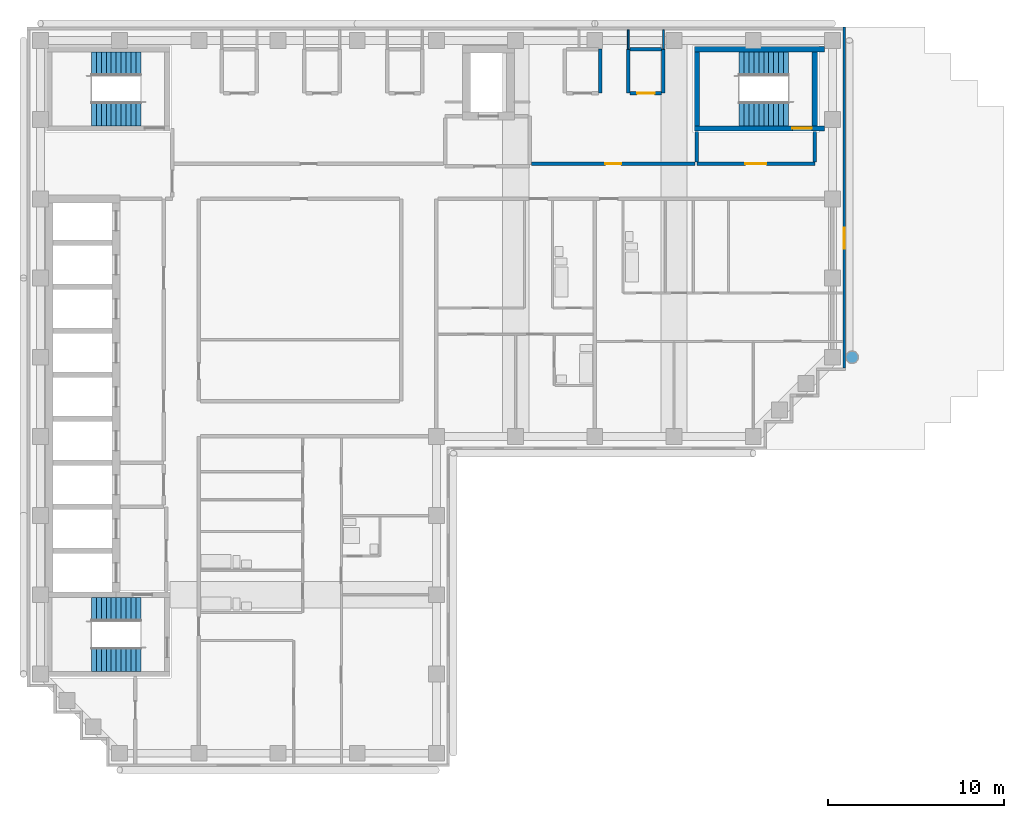
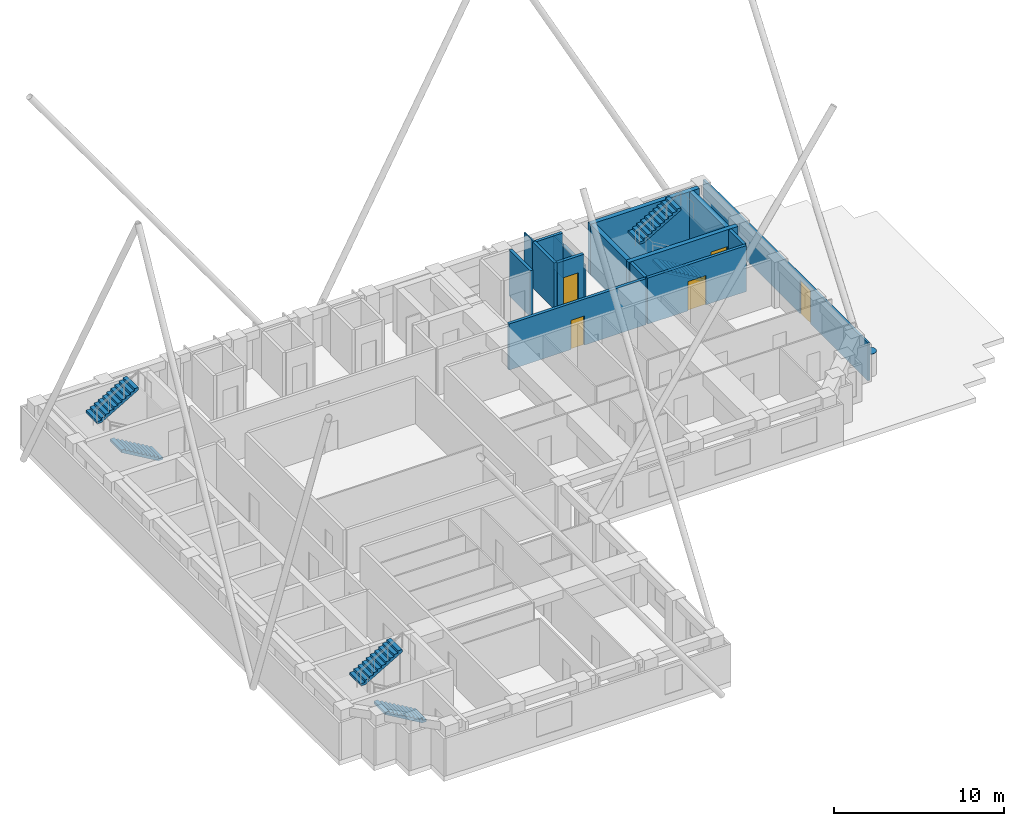
# One storey, part 6 of 8: 16 walls, 6 stair flights, 5 doors, 1 discrete accessory, 5 openings, 3 elements without a shape of their own.
"""IFC4 building model written with IfcOpenShell, lengths in metres."""

from ifc_helpers import new_model, si_unit, direction, frame, frame_2d, origin, origin_2d, place, context, subcontext, project, spatial, polyline, rectangle, circle, outline, extrude, material, layer, layer_set, material_profile, profile_set, type_object, element, fill, aggregate, save


model = new_model("IFC4")

# Units and contexts
model_context = context("Model", 3, precision=1e-05, world=origin(), true_north=direction((0.0, 1.0)))
body_context = subcontext(model_context, "Body", "Model", "MODEL_VIEW")
ifc_project = project(units=[si_unit("LENGTHUNIT", "METRE"), si_unit("AREAUNIT", "SQUARE_METRE"), si_unit("VOLUMEUNIT", "CUBIC_METRE"), si_unit("PLANEANGLEUNIT", "RADIAN"), si_unit("MASSUNIT", "GRAM", prefix="KILO")], contexts=[model_context])

# Site, building, storey
site_placement = place(None, origin())
site = spatial("IfcSite", under=ifc_project, at=site_placement, CompositionType="ELEMENT")
building_placement = place(site_placement, origin())
building = spatial("IfcBuilding", under=site, at=building_placement, Name="Firuza Court", CompositionType="ELEMENT")
storey_placement = place(building_placement, frame((0.0, 0.0, 233.0)))
storey = spatial("IfcBuildingStorey", under=building, at=storey_placement, Name="L60", CompositionType="ELEMENT", Elevation=233.0)

# Wall, opening, door
ifc_material_1 = material(Name="Concrete C50/60", Category="concrete")
ifc_layer_1 = layer(ifc_material_1, 0.300048828125)
ifc_layer_set_1 = layer_set([ifc_layer_1], Name="Concrete C50/60")
wall_type_1 = type_object("IfcWallType", Name="Core wall 300 C50/60", PredefinedType="SHEAR", material=ifc_layer_set_1)
wall_1_placement = place(storey_placement, frame((37.14990234375, 53.5, -0.35009765625), z_axis=(0.0, 0.0, 1.0), x_axis=(1.0, 0.0, 0.0)))
wall_1 = element("IfcWall", 1, at=wall_1_placement, inside=storey, type_object=wall_type_1, Name="Core wall stair L60", PredefinedType="SHEAR", context=body_context, shape_type="SweptSolid", body=[
    extrude(rectangle(XDim=7.400146484375, YDim=0.300048828125, at=frame_2d((3.7001953125, 0.0))), origin(), (0.0, 0.0, 1.0), 3.650146484375),
])
opening_1_placement = place(wall_1_placement, frame((5.580078125, 0.0, 0.35009765625)))
opening_1 = element("IfcOpeningElement", 2, at=opening_1_placement, cuts=wall_1, Name="Opening D60008", PredefinedType="OPENING", context=body_context, shape_type="SweptSolid", body=[
    extrude(rectangle(XDim=1.10009765625, YDim=2.10009765625, at=frame_2d((0.550048828125, 1.050048828125))), frame((0.0, 0.162109375, 0.0), z_axis=(0.0, -1.0, 0.0), x_axis=(1.0, 0.0, 0.0)), (0.0, 0.0, 1.0), 0.323974609375),
])
ifc_material_2 = material(Name="Timber door leaf in hardwood frame", Category="wood")
door_type_1 = type_object("IfcDoorType", Name="Stair door 1100", OperationType="SINGLE_SWING_LEFT", PredefinedType="DOOR", material=ifc_material_2)
door_1_placement = place(opening_1_placement, origin())
door_1 = element("IfcDoor", 3, at=door_1_placement, inside=storey, type_object=door_type_1, Name="Stair door S1", OperationType="SINGLE_SWING_RIGHT", OverallHeight=2.10009765625, OverallWidth=1.10009765625, PredefinedType="DOOR", context=body_context, shape_type="SweptSolid", body=[
    extrude(rectangle(XDim=1.10009765625, YDim=2.10009765625, at=frame_2d((0.550048828125, 1.050048828125))), frame((0.0, 0.02490234375, 0.0), z_axis=(0.0, -1.0, 0.0), x_axis=(1.0, 0.0, 0.0)), (0.0, 0.0, 1.0), 0.050048828125),
])
fill(opening_1, door_1)

# Walls
wall_2_placement = place(storey_placement, frame((37.14990234375, 58.0, -0.35009765625), z_axis=(0.0, 0.0, 1.0), x_axis=(1.0, 0.0, 0.0)))
element("IfcWall", 4, at=wall_2_placement, inside=storey, type_object=wall_type_1, Name="Core wall stair L60", PredefinedType="SHEAR", context=body_context, shape_type="SweptSolid", body=[
    extrude(rectangle(XDim=7.400146484375, YDim=0.300048828125, at=frame_2d((3.7001953125, 0.0))), origin(), (0.0, 0.0, 1.0), 3.650146484375),
])
for number, where, z_axis, x_axis, name in (
    (5, (37.300048828125, 53.64990234375, -0.35009765625), (0.0, 0.0, 1.0), (0.0, 1.0, 0.0), "Core wall stair L60"),
    (6, (44.0, 53.64990234375, -0.35009765625), (0.0, 0.0, 1.0), (0.0, 1.0, 0.0), "Core wall stair L60"),
):
    element("IfcWall", number, at=place(storey_placement, frame(where, z_axis=z_axis, x_axis=x_axis)), inside=storey, type_object=wall_type_1, Name=name, PredefinedType="SHEAR", context=body_context, shape_type="SweptSolid", body=[
        extrude(rectangle(XDim=4.2001953125, YDim=0.300048828125, at=frame_2d((2.10009765625, 0.0))), origin(), (0.0, 0.0, 1.0), 3.650146484375),
    ])

# Wall, opening, door
ifc_material_3 = material(Name="Blockwork, plastered both sides", Category="masonry")
ifc_layer_2 = layer(ifc_material_3, 0.199951171875)
ifc_layer_set_2 = layer_set([ifc_layer_2], Name="Blockwork, plastered both sides")
wall_type_2 = type_object("IfcWallType", Name="Corridor wall 200", PredefinedType="PARTITIONING", material=ifc_layer_set_2)
wall_3_placement = place(storey_placement, frame((27.89990234375, 51.5, 0.0), z_axis=(0.0, 0.0, 1.0), x_axis=(1.0, 0.0, 0.0)))
wall_3 = element("IfcWall", 7, at=wall_3_placement, inside=storey, type_object=wall_type_2, Name="Corridor wall 200 L60", PredefinedType="PARTITIONING", context=body_context, shape_type="SweptSolid", body=[
    extrude(rectangle(XDim=9.300048828125, YDim=0.199951171875, at=frame_2d((4.64990234375, 0.0))), origin(), (0.0, 0.0, 1.0), 3.300048828125),
])
opening_2_placement = place(wall_3_placement, frame((4.199951171875, 0.0, 0.0)))
opening_2 = element("IfcOpeningElement", 8, at=opening_2_placement, cuts=wall_3, Name="Opening D60041", PredefinedType="OPENING", context=body_context, shape_type="SweptSolid", body=[
    extrude(rectangle(XDim=0.89990234375, YDim=2.10009765625, at=frame_2d((0.449951171875, 1.050048828125))), frame((0.0, 0.11181640625, 0.0), z_axis=(0.0, -1.0, 0.0), x_axis=(1.0, 0.0, 0.0)), (0.0, 0.0, 1.0), 0.223876953125),
])
ifc_material_4 = material(Name="Timber door leaf in hardwood frame", Category="wood")
door_type_2 = type_object("IfcDoorType", Name="Room door 900 EI 30", OperationType="SINGLE_SWING_LEFT", PredefinedType="DOOR", material=ifc_material_4)
door_2_placement = place(opening_2_placement, origin())
door_2 = element("IfcDoor", 9, at=door_2_placement, inside=storey, type_object=door_type_2, Name="Meeting room door", OperationType="SINGLE_SWING_LEFT", OverallHeight=2.10009765625, OverallWidth=0.89990234375, PredefinedType="DOOR", context=body_context, shape_type="SweptSolid", body=[
    extrude(rectangle(XDim=0.89990234375, YDim=2.10009765625, at=frame_2d((0.449951171875, 1.050048828125))), frame((0.0, 0.02490234375, 0.0), z_axis=(0.0, -1.0, 0.0), x_axis=(1.0, 0.0, 0.0)), (0.0, 0.0, 1.0), 0.050048828125),
])
fill(opening_2, door_2)

# Walls
ifc_material_5 = material(Name="Timber stud partition, plasterboard both sides", Category="wood")
ifc_layer_3 = layer(ifc_material_5, 0.10009765625)
ifc_layer_set_3 = layer_set([ifc_layer_3], Name="Timber stud partition, plasterboard both sides")
wall_type_3 = type_object("IfcWallType", Name="Partition wall 100", PredefinedType="PARTITIONING", material=ifc_layer_set_3)
wall_4_placement = place(storey_placement, frame((33.39990234375, 58.0, 0.0), z_axis=(0.0, 0.0, 1.0), x_axis=(0.0, 1.0, 0.0)))
element("IfcWall", 10, at=wall_4_placement, inside=storey, type_object=wall_type_3, Name="Partition wall 100 L60", PredefinedType="PARTITIONING", context=body_context, shape_type="SweptSolid", body=[
    extrude(rectangle(XDim=1.10009765625, YDim=0.10009765625, at=frame_2d((0.550048828125, 0.0))), origin(), (0.0, 0.0, 1.0), 3.300048828125),
])
wall_5_placement = place(storey_placement, frame((35.39990234375, 58.0, 0.0), z_axis=(0.0, 0.0, 1.0), x_axis=(0.0, 1.0, 0.0)))
element("IfcWall", 11, at=wall_5_placement, inside=storey, type_object=wall_type_3, Name="Partition wall 100 L60", PredefinedType="PARTITIONING", context=body_context, shape_type="SweptSolid", body=[
    extrude(rectangle(XDim=1.10009765625, YDim=0.10009765625, at=frame_2d((0.550048828125, 0.0))), origin(), (0.0, 0.0, 1.0), 2.39990234375),
])
ifc_material_6 = material(Name="Blockwork, fire-rated", Category="masonry")
ifc_layer_4 = layer(ifc_material_6, 0.199951171875)
ifc_layer_set_4 = layer_set([ifc_layer_4], Name="Blockwork, fire-rated")
wall_type_4 = type_object("IfcWallType", Name="Plant room wall 200", PredefinedType="PARTITIONING", material=ifc_layer_set_4)
for number, where, z_axis, x_axis, name in (
    (12, (31.800048828125, 55.5, 0.0), (0.0, 0.0, 1.0), (0.0, 1.0, 0.0), "Plant room wall 200 L60"),
    (13, (33.39990234375, 55.5, 0.0), (0.0, 0.0, 1.0), (0.0, 1.0, 0.0), "Plant room wall 200 L60"),
):
    element("IfcWall", number, at=place(storey_placement, frame(where, z_axis=z_axis, x_axis=x_axis)), inside=storey, type_object=wall_type_4, Name=name, PredefinedType="PARTITIONING", context=body_context, shape_type="SweptSolid", body=[
        extrude(rectangle(XDim=2.5, YDim=0.199951171875, at=frame_2d((1.25, 0.0))), origin(), (0.0, 0.0, 1.0), 3.300048828125),
    ])

# Wall, opening, door
wall_6_placement = place(storey_placement, frame((33.5, 55.5, 0.0), z_axis=(0.0, 0.0, 1.0), x_axis=(1.0, 0.0, 0.0)))
wall_6 = element("IfcWall", 14, at=wall_6_placement, inside=storey, type_object=wall_type_4, Name="Plant room wall 200 L60", PredefinedType="PARTITIONING", context=body_context, shape_type="SweptSolid", body=[
    extrude(rectangle(XDim=1.800048828125, YDim=0.199951171875, at=frame_2d((0.89990234375, 0.0))), origin(), (0.0, 0.0, 1.0), 3.300048828125),
])
opening_3_placement = place(wall_6_placement, frame((0.39990234375, 0.0, 0.0)))
opening_3 = element("IfcOpeningElement", 15, at=opening_3_placement, cuts=wall_6, Name="Opening D60046", PredefinedType="OPENING", context=body_context, shape_type="SweptSolid", body=[
    extrude(rectangle(XDim=1.0, YDim=2.10009765625, at=frame_2d((0.5, 1.050048828125))), frame((0.0, 0.11181640625, 0.0), z_axis=(0.0, -1.0, 0.0), x_axis=(1.0, 0.0, 0.0)), (0.0, 0.0, 1.0), 0.223876953125),
])
ifc_material_7 = material(Name="Timber door leaf in hardwood frame", Category="wood")
door_type_3 = type_object("IfcDoorType", Name="Riser door 1000", OperationType="SINGLE_SWING_LEFT", PredefinedType="DOOR", material=ifc_material_7)
door_3_placement = place(opening_3_placement, origin())
door_3 = element("IfcDoor", 16, at=door_3_placement, inside=storey, type_object=door_type_3, Name="Duct riser door", OperationType="SINGLE_SWING_LEFT", OverallHeight=2.10009765625, OverallWidth=1.0, PredefinedType="DOOR", context=body_context, shape_type="SweptSolid", body=[
    extrude(rectangle(XDim=1.0, YDim=2.10009765625, at=frame_2d((0.5, 1.050048828125))), frame((0.0, 0.02490234375, 0.0), z_axis=(0.0, -1.0, 0.0), x_axis=(1.0, 0.0, 0.0)), (0.0, 0.0, 1.0), 0.050048828125),
])
fill(opening_3, door_3)

# Walls
wall_7_placement = place(storey_placement, frame((35.39990234375, 55.5, 0.0), z_axis=(0.0, 0.0, 1.0), x_axis=(0.0, 1.0, 0.0)))
element("IfcWall", 17, at=wall_7_placement, inside=storey, type_object=wall_type_4, Name="Plant room wall 200 L60", PredefinedType="PARTITIONING", context=body_context, shape_type="SweptSolid", body=[
    extrude(rectangle(XDim=2.5, YDim=0.199951171875, at=frame_2d((1.25, 0.0))), origin(), (0.0, 0.0, 1.0), 2.39990234375),
])
wall_8_placement = place(storey_placement, frame((33.5, 58.0, 0.0), z_axis=(0.0, 0.0, 1.0), x_axis=(1.0, 0.0, 0.0)))
element("IfcWall", 18, at=wall_8_placement, inside=storey, type_object=wall_type_4, Name="Plant room wall 200 L60", PredefinedType="PARTITIONING", context=body_context, shape_type="SweptSolid", body=[
    extrude(rectangle(XDim=1.800048828125, YDim=0.199951171875, at=frame_2d((0.89990234375, 0.0))), origin(), (0.0, 0.0, 1.0), 3.300048828125),
])

# Wall, opening, door
ifc_material_8 = material(Name="Ceramic tile", Category="ceramic")
ifc_layer_5 = layer(ifc_material_8, 0.02001953125)
ifc_material_9 = material(Name="Mineral wool insulation", Category="insulation")
ifc_layer_6 = layer(ifc_material_9, 0.050048828125)
ifc_material_10 = material(Name="Concrete C40/50 precast", Category="concrete")
ifc_layer_7 = layer(ifc_material_10, 0.080078125)
ifc_layer_set_5 = layer_set([ifc_layer_5, ifc_layer_6, ifc_layer_7], Name="Concrete C40/50 precast")
wall_type_5 = type_object("IfcWallType", Name="Precast cladding wall with turquoise TILE PANEL face 150", PredefinedType="STANDARD", material=ifc_layer_set_5)
wall_9_placement = place(storey_placement, frame((45.675048828125, 39.89990234375, 0.0), z_axis=(0.0, 0.0, 1.0), x_axis=(0.0, 1.0, 0.0)))
wall_9 = element("IfcWall", 19, at=wall_9_placement, inside=storey, type_object=wall_type_5, Name="Facade wall L60 E", PredefinedType="STANDARD", context=body_context, shape_type="SweptSolid", body=[
    extrude(rectangle(XDim=19.35009765625, YDim=0.14990234375, at=frame_2d((9.675048828125, 0.0))), origin(), (0.0, 0.0, 1.0), 2.699951171875),
])
opening_4_placement = place(wall_9_placement, frame((6.75, 0.0, 0.0)))
opening_4 = element("IfcOpeningElement", 20, at=opening_4_placement, cuts=wall_9, Name="Opening D60901", PredefinedType="OPENING", context=body_context, shape_type="SweptSolid", body=[
    extrude(rectangle(XDim=1.199951171875, YDim=2.39990234375, at=frame_2d((0.60009765625, 1.199951171875))), frame((0.0, 0.0869140625, 0.0), z_axis=(0.0, -1.0, 0.0), x_axis=(1.0, 0.0, 0.0)), (0.0, 0.0, 1.0), 0.173828125),
])
ifc_material_11 = material(Name="Timber door leaf in hardwood frame", Category="wood")
door_type_4 = type_object("IfcDoorType", Name="Terrace door 1200", OperationType="DOUBLE_DOOR_SINGLE_SWING", PredefinedType="DOOR", material=ifc_material_11)
door_4_placement = place(opening_4_placement, origin())
door_4 = element("IfcDoor", 21, at=door_4_placement, inside=storey, type_object=door_type_4, Name="Terrace door L60", OperationType="DOUBLE_DOOR_SINGLE_SWING", OverallHeight=2.39990234375, OverallWidth=1.199951171875, PredefinedType="DOOR", context=body_context, shape_type="SweptSolid", body=[
    extrude(rectangle(XDim=1.199951171875, YDim=2.39990234375, at=frame_2d((0.60009765625, 1.199951171875))), frame((0.0, 0.02490234375, 0.0), z_axis=(0.0, -1.0, 0.0), x_axis=(1.0, 0.0, 0.0)), (0.0, 0.0, 1.0), 0.050048828125),
])
fill(opening_4, door_4)

ifc_layer_8 = layer(ifc_material_6, 0.199951171875)
ifc_layer_set_6 = layer_set([ifc_layer_8], Name="Blockwork, fire-rated")
wall_type_6 = type_object("IfcWallType", Name="Shaft wall 200", PredefinedType="PARTITIONING", material=ifc_layer_set_6)
wall_10_placement = place(storey_placement, frame((37.300048828125, 51.5, 0.0), z_axis=(0.0, 0.0, 1.0), x_axis=(1.0, 0.0, 0.0)))
wall_10 = element("IfcWall", 22, at=wall_10_placement, inside=storey, type_object=wall_type_6, Name="Shaft wall 200 L60", PredefinedType="PARTITIONING", context=body_context, shape_type="SweptSolid", body=[
    extrude(rectangle(XDim=6.699951171875, YDim=0.199951171875, at=frame_2d((3.35009765625, 0.0))), origin(), (0.0, 0.0, 1.0), 3.300048828125),
])
opening_5_placement = place(wall_10_placement, frame((2.75, 0.0, 0.0)))
opening_5 = element("IfcOpeningElement", 23, at=opening_5_placement, cuts=wall_10, Name="Opening D60006", PredefinedType="OPENING", context=body_context, shape_type="SweptSolid", body=[
    extrude(rectangle(XDim=1.199951171875, YDim=2.10009765625, at=frame_2d((0.60009765625, 1.050048828125))), frame((0.0, 0.11181640625, 0.0), z_axis=(0.0, -1.0, 0.0), x_axis=(1.0, 0.0, 0.0)), (0.0, 0.0, 1.0), 0.223876953125),
])
ifc_material_12 = material(Name="Timber door leaf in hardwood frame", Category="wood")
door_type_5 = type_object("IfcDoorType", Name="Lobby door 1200", OperationType="SINGLE_SWING_LEFT", PredefinedType="DOOR", material=ifc_material_12)
door_5_placement = place(opening_5_placement, origin())
door_5 = element("IfcDoor", 24, at=door_5_placement, inside=storey, type_object=door_type_5, Name="Lobby door", OperationType="SINGLE_SWING_LEFT", OverallHeight=2.10009765625, OverallWidth=1.199951171875, PredefinedType="DOOR", context=body_context, shape_type="SweptSolid", body=[
    extrude(rectangle(XDim=1.199951171875, YDim=2.10009765625, at=frame_2d((0.60009765625, 1.050048828125))), frame((0.0, 0.02490234375, 0.0), z_axis=(0.0, -1.0, 0.0), x_axis=(1.0, 0.0, 0.0)), (0.0, 0.0, 1.0), 0.050048828125),
])
fill(opening_5, door_5)

# Walls
for number, where, z_axis, x_axis, name in (
    (25, (44.0, 51.60009765625, 0.0), (0.0, 0.0, 1.0), (0.0, 1.0, 0.0), "Shaft wall 200 L60"),
    (26, (37.300048828125, 51.60009765625, 0.0), (0.0, 0.0, 1.0), (0.0, 1.0, 0.0), "Shaft wall 200 L60"),
):
    element("IfcWall", number, at=place(storey_placement, frame(where, z_axis=z_axis, x_axis=x_axis)), inside=storey, type_object=wall_type_6, Name=name, PredefinedType="PARTITIONING", context=body_context, shape_type="SweptSolid", body=[
        extrude(rectangle(XDim=1.72998046875, YDim=0.199951171875, at=frame_2d((0.864990234375, 0.0))), origin(), (0.0, 0.0, 1.0), 3.300048828125),
    ])

# Stair, stair flights
ifc_material_13 = material(Name="Concrete C40/50 precast", Category="concrete")
stair_type = type_object("IfcStairType", Name="Stair 1350 x 3600 2 flights", PredefinedType="HALF_TURN_STAIR", material=ifc_material_13)
stair_1_placement = place(storey_placement, origin())
stair_1 = element("IfcStair", 27, at=stair_1_placement, inside=storey, type_object=stair_type, Name="Stair 1 L60", PredefinedType="HALF_TURN_STAIR")
ifc_material_14 = material(Name="Concrete C40/50 precast", Category="concrete")
stair_flight_type = type_object("IfcStairFlightType", Name="Flight 1350 riser 163.6", PredefinedType="STRAIGHT", material=ifc_material_14)
stair_flight_1_placement = place(storey_placement, frame((42.5, 54.324951171875, 0.0), z_axis=(0.0, 0.0, 1.0), x_axis=(-1.0, 0.0, 0.0)))
stair_flight_1 = element("IfcStairFlight", 28, at=stair_flight_1_placement, type_object=stair_flight_type, Name="S1 flight 1", NumberOfRisers=11, NumberOfTreads=10, PredefinedType="STRAIGHT", RiserHeight=0.163636364, TreadLength=0.28, context=body_context, shape_type="SweptSolid", body=[
    extrude(outline(polyline([(0.0, 0.0), (0.0, 0.16357421875), (0.280029296875, 0.16357421875), (0.280029296875, 0.327392578125), (0.56005859375, 0.327392578125), (0.56005859375, 0.490966796875), (0.840087890625, 0.490966796875), (0.840087890625, 0.654541015625), (1.1201171875, 0.654541015625), (1.1201171875, 0.818115234375), (1.39990234375, 0.818115234375), (1.39990234375, 0.98193359375), (1.679931640625, 0.98193359375), (1.679931640625, 1.1455078125), (1.9599609375, 1.1455078125), (1.9599609375, 1.30908203125), (2.239990234375, 1.30908203125), (2.239990234375, 1.47265625), (2.52001953125, 1.47265625), (2.52001953125, 1.636474609375), (2.800048828125, 1.636474609375), (2.800048828125, 1.800048828125), (2.800048828125, 1.462646484375), (0.297119140625, 0.0), (0.0, 0.0)])), frame((0.0, 0.675048828125, 0.0), z_axis=(0.0, -1.0, 0.0), x_axis=(1.0, 0.0, 0.0)), (0.0, 0.0, 1.0), 1.35009765625),
])
stair_flight_2_placement = place(storey_placement, frame((39.699951171875, 57.175048828125, 1.800048828125), z_axis=(0.0, 0.0, 1.0), x_axis=(1.0, 0.0, 0.0)))
stair_flight_2 = element("IfcStairFlight", 29, at=stair_flight_2_placement, type_object=stair_flight_type, Name="S1 flight 2", NumberOfRisers=11, NumberOfTreads=10, PredefinedType="STRAIGHT", RiserHeight=0.163636364, TreadLength=0.28, context=body_context, shape_type="SweptSolid", body=[
    extrude(outline(polyline([(0.0, 0.0), (0.0, 0.16357421875), (0.280029296875, 0.16357421875), (0.280029296875, 0.327392578125), (0.56005859375, 0.327392578125), (0.56005859375, 0.490966796875), (0.840087890625, 0.490966796875), (0.840087890625, 0.654541015625), (1.1201171875, 0.654541015625), (1.1201171875, 0.818115234375), (1.39990234375, 0.818115234375), (1.39990234375, 0.98193359375), (1.679931640625, 0.98193359375), (1.679931640625, 1.1455078125), (1.9599609375, 1.1455078125), (1.9599609375, 1.30908203125), (2.239990234375, 1.30908203125), (2.239990234375, 1.47265625), (2.52001953125, 1.47265625), (2.52001953125, 1.636474609375), (2.800048828125, 1.636474609375), (2.800048828125, 1.800048828125), (2.800048828125, 1.462646484375), (0.297119140625, 0.0), (0.0, 0.0)])), frame((0.0, 0.675048828125, 0.0), z_axis=(0.0, -1.0, 0.0), x_axis=(1.0, 0.0, 0.0)), (0.0, 0.0, 1.0), 1.35009765625),
])
aggregate(stair_1, [stair_flight_1, stair_flight_2])

stair_2_placement = place(storey_placement, origin())
stair_2 = element("IfcStair", 30, at=stair_2_placement, inside=storey, type_object=stair_type, Name="Stair 2 L60", PredefinedType="HALF_TURN_STAIR")
stair_flight_3_placement = place(storey_placement, frame((5.699951171875, 23.324951171875, 0.0), z_axis=(0.0, 0.0, 1.0), x_axis=(-1.0, 0.0, 0.0)))
stair_flight_3 = element("IfcStairFlight", 31, at=stair_flight_3_placement, type_object=stair_flight_type, Name="S2 flight 1", NumberOfRisers=11, NumberOfTreads=10, PredefinedType="STRAIGHT", RiserHeight=0.163636364, TreadLength=0.28, context=body_context, shape_type="SweptSolid", body=[
    extrude(outline(polyline([(0.0, 0.0), (0.0, 0.16357421875), (0.280029296875, 0.16357421875), (0.280029296875, 0.327392578125), (0.56005859375, 0.327392578125), (0.56005859375, 0.490966796875), (0.840087890625, 0.490966796875), (0.840087890625, 0.654541015625), (1.1201171875, 0.654541015625), (1.1201171875, 0.818115234375), (1.39990234375, 0.818115234375), (1.39990234375, 0.98193359375), (1.679931640625, 0.98193359375), (1.679931640625, 1.1455078125), (1.9599609375, 1.1455078125), (1.9599609375, 1.30908203125), (2.239990234375, 1.30908203125), (2.239990234375, 1.47265625), (2.52001953125, 1.47265625), (2.52001953125, 1.636474609375), (2.800048828125, 1.636474609375), (2.800048828125, 1.800048828125), (2.800048828125, 1.462646484375), (0.297119140625, 0.0), (0.0, 0.0)])), frame((0.0, 0.675048828125, 0.0), z_axis=(0.0, -1.0, 0.0), x_axis=(1.0, 0.0, 0.0)), (0.0, 0.0, 1.0), 1.35009765625),
])
stair_flight_4_placement = place(storey_placement, frame((2.89990234375, 26.175048828125, 1.800048828125), z_axis=(0.0, 0.0, 1.0), x_axis=(1.0, 0.0, 0.0)))
stair_flight_4 = element("IfcStairFlight", 32, at=stair_flight_4_placement, type_object=stair_flight_type, Name="S2 flight 2", NumberOfRisers=11, NumberOfTreads=10, PredefinedType="STRAIGHT", RiserHeight=0.163636364, TreadLength=0.28, context=body_context, shape_type="SweptSolid", body=[
    extrude(outline(polyline([(0.0, 0.0), (0.0, 0.16357421875), (0.280029296875, 0.16357421875), (0.280029296875, 0.327392578125), (0.56005859375, 0.327392578125), (0.56005859375, 0.490966796875), (0.840087890625, 0.490966796875), (0.840087890625, 0.654541015625), (1.1201171875, 0.654541015625), (1.1201171875, 0.818115234375), (1.39990234375, 0.818115234375), (1.39990234375, 0.98193359375), (1.679931640625, 0.98193359375), (1.679931640625, 1.1455078125), (1.9599609375, 1.1455078125), (1.9599609375, 1.30908203125), (2.239990234375, 1.30908203125), (2.239990234375, 1.47265625), (2.52001953125, 1.47265625), (2.52001953125, 1.636474609375), (2.800048828125, 1.636474609375), (2.800048828125, 1.800048828125), (2.800048828125, 1.462646484375), (0.297119140625, 0.0), (0.0, 0.0)])), frame((0.0, 0.675048828125, 0.0), z_axis=(0.0, -1.0, 0.0), x_axis=(1.0, 0.0, 0.0)), (0.0, 0.0, 1.0), 1.35009765625),
])
aggregate(stair_2, [stair_flight_3, stair_flight_4])

stair_3_placement = place(storey_placement, origin())
stair_3 = element("IfcStair", 33, at=stair_3_placement, inside=storey, type_object=stair_type, Name="Stair 3 L60", PredefinedType="HALF_TURN_STAIR")
stair_flight_5_placement = place(storey_placement, frame((5.699951171875, 54.324951171875, 0.0), z_axis=(0.0, 0.0, 1.0), x_axis=(-1.0, 0.0, 0.0)))
stair_flight_5 = element("IfcStairFlight", 34, at=stair_flight_5_placement, type_object=stair_flight_type, Name="S3 flight 1", NumberOfRisers=11, NumberOfTreads=10, PredefinedType="STRAIGHT", RiserHeight=0.163636364, TreadLength=0.28, context=body_context, shape_type="SweptSolid", body=[
    extrude(outline(polyline([(0.0, 0.0), (0.0, 0.16357421875), (0.280029296875, 0.16357421875), (0.280029296875, 0.327392578125), (0.56005859375, 0.327392578125), (0.56005859375, 0.490966796875), (0.840087890625, 0.490966796875), (0.840087890625, 0.654541015625), (1.1201171875, 0.654541015625), (1.1201171875, 0.818115234375), (1.39990234375, 0.818115234375), (1.39990234375, 0.98193359375), (1.679931640625, 0.98193359375), (1.679931640625, 1.1455078125), (1.9599609375, 1.1455078125), (1.9599609375, 1.30908203125), (2.239990234375, 1.30908203125), (2.239990234375, 1.47265625), (2.52001953125, 1.47265625), (2.52001953125, 1.636474609375), (2.800048828125, 1.636474609375), (2.800048828125, 1.800048828125), (2.800048828125, 1.462646484375), (0.297119140625, 0.0), (0.0, 0.0)])), frame((0.0, 0.675048828125, 0.0), z_axis=(0.0, -1.0, 0.0), x_axis=(1.0, 0.0, 0.0)), (0.0, 0.0, 1.0), 1.35009765625),
])
stair_flight_6_placement = place(storey_placement, frame((2.89990234375, 57.175048828125, 1.800048828125), z_axis=(0.0, 0.0, 1.0), x_axis=(1.0, 0.0, 0.0)))
stair_flight_6 = element("IfcStairFlight", 35, at=stair_flight_6_placement, type_object=stair_flight_type, Name="S3 flight 2", NumberOfRisers=11, NumberOfTreads=10, PredefinedType="STRAIGHT", RiserHeight=0.163636364, TreadLength=0.28, context=body_context, shape_type="SweptSolid", body=[
    extrude(outline(polyline([(0.0, 0.0), (0.0, 0.16357421875), (0.280029296875, 0.16357421875), (0.280029296875, 0.327392578125), (0.56005859375, 0.327392578125), (0.56005859375, 0.490966796875), (0.840087890625, 0.490966796875), (0.840087890625, 0.654541015625), (1.1201171875, 0.654541015625), (1.1201171875, 0.818115234375), (1.39990234375, 0.818115234375), (1.39990234375, 0.98193359375), (1.679931640625, 0.98193359375), (1.679931640625, 1.1455078125), (1.9599609375, 1.1455078125), (1.9599609375, 1.30908203125), (2.239990234375, 1.30908203125), (2.239990234375, 1.47265625), (2.52001953125, 1.47265625), (2.52001953125, 1.636474609375), (2.800048828125, 1.636474609375), (2.800048828125, 1.800048828125), (2.800048828125, 1.462646484375), (0.297119140625, 0.0), (0.0, 0.0)])), frame((0.0, 0.675048828125, 0.0), z_axis=(0.0, -1.0, 0.0), x_axis=(1.0, 0.0, 0.0)), (0.0, 0.0, 1.0), 1.35009765625),
])
aggregate(stair_3, [stair_flight_5, stair_flight_6])

# Discrete accessory
ifc_material_15 = material(Name="Steel S355", Category="steel")
ifc_material_profile = material_profile(ifc_material_15, circle(Radius=0.35546875, at=origin_2d()), Name="PL D711")
ifc_profile_set = profile_set([ifc_material_profile], Name="Steel S355")
discrete_accessory_type = type_object("IfcDiscreteAccessoryType", Name="DIAGRID NODE END PLATE", PredefinedType="NOTDEFINED", material=ifc_profile_set)
discrete_accessory_placement = place(storey_placement, frame((46.1201171875, 40.5, 1.60009765625), z_axis=(0.0, 0.0, 1.0), x_axis=(1.0, 0.0, 0.0)))
element("IfcDiscreteAccessory", 36, at=discrete_accessory_placement, inside=storey, type_object=discrete_accessory_type, Name="Diagrid node end plate level L60", PredefinedType="NOTDEFINED", context=body_context, shape_type="SweptSolid", body=[
    extrude(circle(Radius=0.35546875, at=origin_2d()), origin(), (0.0, 0.0, 1.0), 0.02978515625),
])

save(model, "model.ifc")
